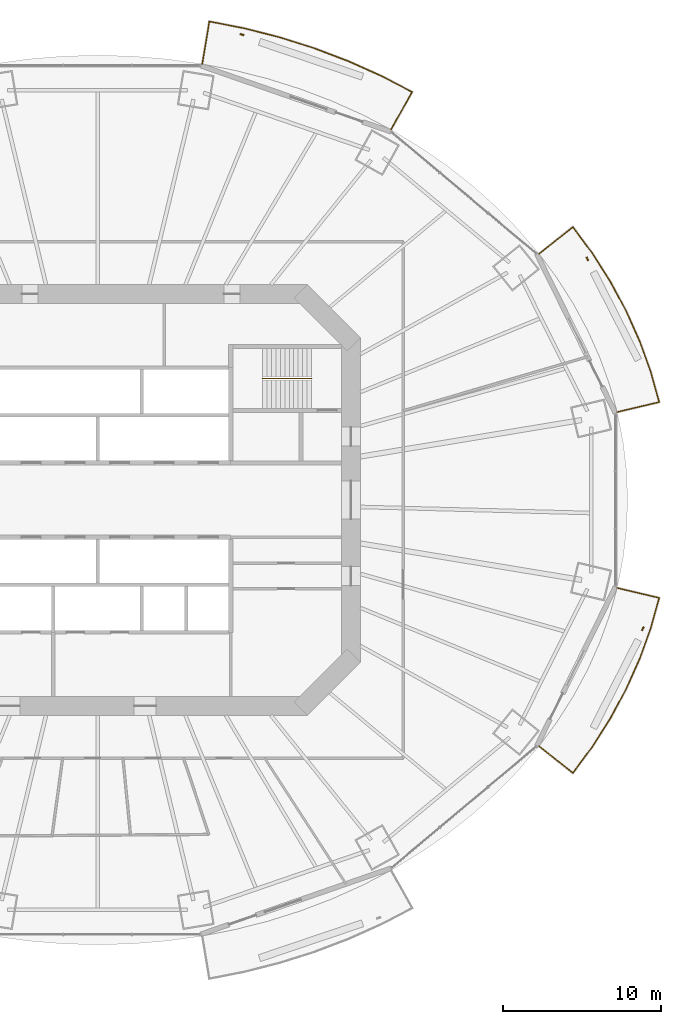
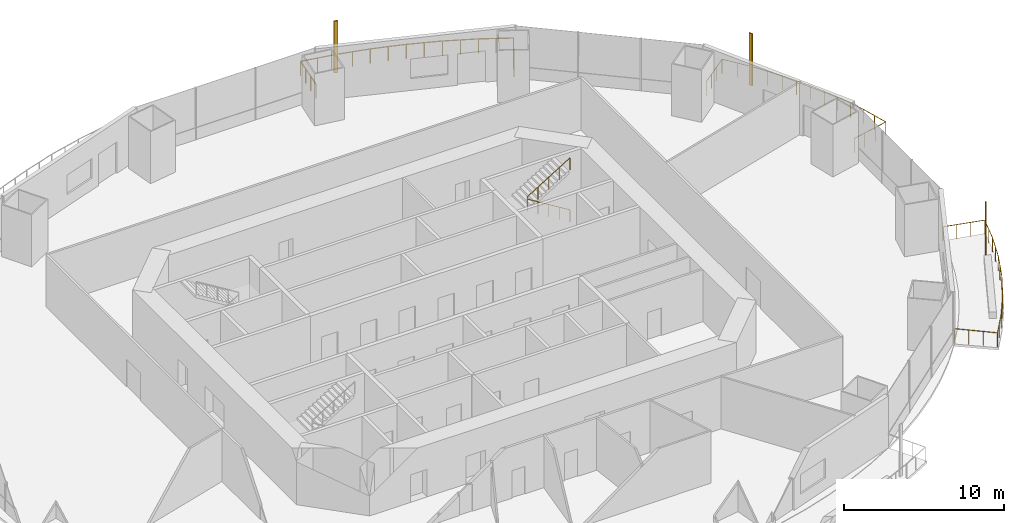
# One storey, part 19 of 20: 4 railings, 3 shading devices.
"""IFC4 building model written with IfcOpenShell, lengths in metres."""

import ifcopenshell
import ifcopenshell.guid

model = None  # the IFC model being written
_history = None  # IfcOwnerHistory: only IFC2X3 demands one
_inside = {}  # id of a spatial element -> (the spatial element, [elements in it])
_under = {}  # id of a project, library or spatial element -> (it, [spatial elements below it])
_declared = {}  # id of a project -> (the project, [libraries it declares])
_typed = {}  # id of a type object -> (the type object, [elements of that type])
_made_of = {}  # id of a material, layer set ... -> (it, [elements and type objects made of it])


def new_model(schema):
    """Start an empty IFC model of exactly this schema.

    Asked for "IFC4X3", IfcOpenShell would pick the latest addendum, in which some entities
    have other attributes; the version numbers below select the first issue.
    IFC2X3 requires an IfcOwnerHistory on every rooted entity: one is made here for all.
    """
    global model, _history
    if schema == "IFC4X3":
        model = ifcopenshell.file(schema_version=(4, 3, 0, 0))
    else:
        model = ifcopenshell.file(schema=schema)
    _inside.clear()
    _under.clear()
    _declared.clear()
    _typed.clear()
    _made_of.clear()
    _history = None
    if model.schema == "IFC2X3":
        org = make("IfcOrganization", Name="unknown")
        user = make(
            "IfcPersonAndOrganization",
            ThePerson=make("IfcPerson", FamilyName="unknown"),
            TheOrganization=org,
        )
        app = make(
            "IfcApplication",
            ApplicationDeveloper=org,
            Version="unknown",
            ApplicationFullName="unknown",
            ApplicationIdentifier="unknown",
        )
        _history = make(
            "IfcOwnerHistory",
            OwningUser=user,
            OwningApplication=app,
            ChangeAction="ADDED",
            CreationDate=0,
        )
    return model


def make(cls, **values):
    """One entity of the class cls with the attributes given. An attribute that is None is left unset."""
    return model.create_entity(
        cls, **{name: value for name, value in values.items() if value is not None}
    )


def rooted(cls, **values):
    """An entity with a GlobalId (a new one), such as an element, a storey or a relation."""
    return make(cls, GlobalId=ifcopenshell.guid.new(), OwnerHistory=_history, **values)


def si_unit(unit_type, name, prefix=None):
    """IfcSIUnit, for example si_unit("LENGTHUNIT", "METRE", prefix="MILLI")."""
    return make("IfcSIUnit", UnitType=unit_type, Prefix=prefix, Name=name)


def assignment(units):
    """IfcUnitAssignment: the units of a project."""
    return None if units is None else make("IfcUnitAssignment", Units=units)


def point(xyz):
    """IfcCartesianPoint."""
    return None if xyz is None else make("IfcCartesianPoint", Coordinates=xyz)


def direction(xyz):
    """IfcDirection."""
    return None if xyz is None else make("IfcDirection", DirectionRatios=xyz)


def frame(location, z_axis=None, x_axis=None):
    """IfcAxis2Placement3D, a coordinate frame: its origin and axes. An axis left out is left unset."""
    return make(
        "IfcAxis2Placement3D",
        Location=point(location),
        Axis=direction(z_axis),
        RefDirection=direction(x_axis),
    )


def frame_2d(location, x_axis=None):
    """IfcAxis2Placement2D, a coordinate frame in the plane: its origin and x axis."""
    return make(
        "IfcAxis2Placement2D", Location=point(location), RefDirection=direction(x_axis)
    )


def origin():
    """The frame at (0, 0, 0) with its axes left unset."""
    return frame((0.0, 0.0, 0.0))


def origin_2d():
    """The frame at (0, 0) in the plane with its x axis left unset."""
    return frame_2d((0.0, 0.0))


def place(relative_to, where):
    """IfcLocalPlacement: puts the frame where relative to a parent placement (None: the world)."""
    return make(
        "IfcLocalPlacement", PlacementRelTo=relative_to, RelativePlacement=where
    )


def context(
    kind, dimensions, precision=None, world=None, true_north=None, identifier=None
):
    """IfcGeometricRepresentationContext, for example the 3D "Model" context."""
    return make(
        "IfcGeometricRepresentationContext",
        ContextIdentifier=identifier,
        ContextType=kind,
        CoordinateSpaceDimension=dimensions,
        Precision=precision,
        WorldCoordinateSystem=world,
        TrueNorth=true_north,
    )


def subcontext(parent, identifier, kind, view, scale=None):
    """IfcGeometricRepresentationSubContext, for example "Body" below "Model"."""
    return make(
        "IfcGeometricRepresentationSubContext",
        ContextIdentifier=identifier,
        ContextType=kind,
        ParentContext=parent,
        TargetScale=scale,
        TargetView=view,
    )


def project(units=None, contexts=None):
    """IfcProject with its units and contexts."""
    return rooted(
        "IfcProject",
        Name="project",
        RepresentationContexts=contexts,
        UnitsInContext=assignment(units),
    )


def spatial(cls, under=None, at=None, **own):
    """A site, building, storey or space (cls), placed at a placement, below another one or the project."""
    s = rooted(cls, ObjectPlacement=at, **own)
    if under is not None:
        _under.setdefault(under.id(), (under, []))[1].append(s)
    return s


def profile(cls, at=None, kind="AREA", **sizes):
    """A parametric profile (cls). Its sizes go by their IFC names, for example OverallWidth=200.0."""
    return make(cls, ProfileType=kind, Position=at, **sizes)


def rectangle(**sizes):
    """IfcRectangleProfileDef."""
    return profile("IfcRectangleProfileDef", **sizes)


def circle(**sizes):
    """IfcCircleProfileDef."""
    return profile("IfcCircleProfileDef", **sizes)


def extrude(swept, where, along, depth):
    """IfcExtrudedAreaSolid: the profile swept, set in the frame where, extruded along a direction by depth."""
    return make(
        "IfcExtrudedAreaSolid",
        SweptArea=swept,
        Position=where,
        ExtrudedDirection=direction(along),
        Depth=depth,
    )


def shape(context_of_items, identifier, shape_type, items):
    """IfcShapeRepresentation: the items that make up one representation, for example the "Body"."""
    return make(
        "IfcShapeRepresentation",
        ContextOfItems=context_of_items,
        RepresentationIdentifier=identifier,
        RepresentationType=shape_type,
        Items=items,
    )


def material(Name=None, Category=None):
    """IfcMaterial."""
    return make("IfcMaterial", Name=Name, Category=Category)


def material_profile(
    of_material, cross_section, Name=None, Category=None, Priority=None
):
    """IfcMaterialProfile: a cross section and its material."""
    return make(
        "IfcMaterialProfile",
        Name=Name,
        Material=of_material,
        Profile=cross_section,
        Priority=Priority,
        Category=Category,
    )


def profile_set(profiles, Name=None, composite=None):
    """IfcMaterialProfileSet."""
    return make(
        "IfcMaterialProfileSet",
        Name=Name,
        MaterialProfiles=profiles,
        CompositeProfile=composite,
    )


def made_of(thing, what):
    """Note that an element or type object is made of a material, layer set ...; save() writes the relation."""
    if what is not None:
        _made_of.setdefault(what.id(), (what, []))[1].append(thing)
    return thing


def type_object(cls, material=None, **own):
    """A type object (cls), such as IfcWallType, which elements share."""
    return made_of(rooted(cls, **own), material)


def element(
    cls,
    number,
    at=None,
    inside=None,
    cuts=None,
    type_object=None,
    material=None,
    context=None,
    identifier="Body",
    shape_type=None,
    held_by="IfcProductDefinitionShape",
    body=None,
    shapes=None,
    **own,
):
    """One element of the class cls, such as IfcWall. Its Tag is "e" and its number.

    at: its placement. inside: the storey or other place that contains it. cuts: it is an
    opening in that element (IfcRelVoidsElement). A single representation is given by context,
    identifier, shape_type and body (its items); several are given by shapes. held_by: the class
    of the entity that holds the representations. save() writes the other relations.
    """
    e = rooted(cls, Tag="e%d" % number, ObjectPlacement=at, **own)
    if body is not None:
        shapes = [shape(context, identifier, shape_type, body)]
    if shapes is not None:
        e.Representation = make(held_by, Representations=shapes)
    if inside is not None:
        _inside.setdefault(inside.id(), (inside, []))[1].append(e)
    if cuts is not None:
        rooted(
            "IfcRelVoidsElement", RelatingBuildingElement=cuts, RelatedOpeningElement=e
        )
    if type_object is not None:
        _typed.setdefault(type_object.id(), (type_object, []))[1].append(e)
    return made_of(e, material)


def aggregate(whole, parts):
    """IfcRelAggregates: a whole, such as a stair, and the parts it consists of."""
    return rooted("IfcRelAggregates", RelatingObject=whole, RelatedObjects=parts)


def save(model, path):
    """Write the relations noted so far, then the file.

    IfcRelAggregates (storeys below a building ...), IfcRelContainedInSpatialStructure (elements
    in a storey), IfcRelDefinesByType, IfcRelAssociatesMaterial and IfcRelDeclares: one each for
    every whole, place, type object, material and project.
    """
    for whole, parts in _under.values():
        aggregate(whole, parts)
    for where, things in _inside.values():
        rooted(
            "IfcRelContainedInSpatialStructure",
            RelatedElements=things,
            RelatingStructure=where,
        )
    for kind, things in _typed.values():
        rooted("IfcRelDefinesByType", RelatedObjects=things, RelatingType=kind)
    for what, things in _made_of.values():
        rooted("IfcRelAssociatesMaterial", RelatedObjects=things, RelatingMaterial=what)
    for by, libraries in _declared.values():
        rooted("IfcRelDeclares", RelatingContext=by, RelatedDefinitions=libraries)
    model.write(path)


model = new_model("IFC4")

# Units and contexts
model_context = context("Model", 3, precision=1e-05, world=origin(), true_north=direction((0.0, 1.0)))
body_context = subcontext(model_context, "Body", "Model", "MODEL_VIEW")
ifc_project = project(units=[si_unit("LENGTHUNIT", "METRE"), si_unit("AREAUNIT", "SQUARE_METRE"), si_unit("VOLUMEUNIT", "CUBIC_METRE"), si_unit("PLANEANGLEUNIT", "RADIAN"), si_unit("MASSUNIT", "GRAM", prefix="KILO")], contexts=[model_context])

# Site, building, storey
site_placement = place(None, origin())
site = spatial("IfcSite", under=ifc_project, at=site_placement, CompositionType="ELEMENT")
building_placement = place(site_placement, origin())
building = spatial("IfcBuilding", under=site, at=building_placement, Name="Marenthal Gate Tower", CompositionType="ELEMENT")
storey_placement = place(building_placement, frame((0.0, 0.0, 136.75)))
storey = spatial("IfcBuildingStorey", under=building, at=storey_placement, Name="L29", CompositionType="ELEMENT", Elevation=136.75)

# Railings
ifc_material_1 = material(Name="Stainless steel", Category="steel")
railing_type_1 = type_object("IfcRailingType", Name="Balcony guard 1100", PredefinedType="GUARDRAIL", material=ifc_material_1)
railing_1_placement = place(storey_placement, frame((27.872314453125, 15.5361328125, 0.0)))
element("IfcRailing", 1, at=railing_1_placement, inside=storey, type_object=railing_type_1, Name="Balcony guard L29 bay 1", PredefinedType="GUARDRAIL", context=body_context, shape_type="SweptSolid", body=[
    extrude(circle(Radius=0.02392578125, at=origin_2d()), frame((0.0, 0.0, 1.076171875), z_axis=(0.782497400994, 0.622479868482, -0.014718382127), x_axis=(-0.622547303586, 0.782582171275, 0.0)), (0.0, 0.0, 1.0), 2.720458984375),
    extrude(circle(Radius=0.02392578125, at=origin_2d()), frame((2.128662109375, 1.693359375, 1.0361328125), z_axis=(0.594330839548, -0.80422064955, 0.0), x_axis=(0.80422064955, 0.594330839548, 0.0)), (0.0, 0.0, 1.0), 2.0517578125),
    extrude(circle(Radius=0.02392578125, at=origin_2d()), frame((3.34814453125, 0.043212890625, 1.0361328125), z_axis=(0.537211554798, -0.843447535649, 0.0), x_axis=(0.843447535649, 0.537211554798, 0.0)), (0.0, 0.0, 1.0), 2.114990234375),
    extrude(circle(Radius=0.02392578125, at=origin_2d()), frame((4.484375, -1.74072265625, 1.0361328125), z_axis=(0.475084098287, -0.879940395456, 0.0), x_axis=(0.879940395456, 0.475084098287, 0.0)), (0.0, 0.0, 1.0), 2.099853515625),
    extrude(circle(Radius=0.02392578125, at=origin_2d()), frame((5.48193359375, -3.58837890625, 1.0361328125), z_axis=(0.409274320643, -0.912411382252, 0.0), x_axis=(0.912411382252, 0.409274320643, 0.0)), (0.0, 0.0, 1.0), 2.0859375),
    extrude(circle(Radius=0.02392578125, at=origin_2d()), frame((6.335693359375, -5.49169921875, 1.0361328125), z_axis=(0.339927901039, -0.940451499066, 0.0), x_axis=(0.940451499066, 0.339927901039, 0.0)), (0.0, 0.0, 1.0), 2.07421875),
    extrude(circle(Radius=0.02392578125, at=origin_2d()), frame((7.040771484375, -7.4423828125, 1.0361328125), z_axis=(0.269159912303, -0.963095499735, 0.0), x_axis=(0.963095499735, 0.269159912303, 0.0)), (0.0, 0.0, 1.0), 1.984619140625),
    extrude(circle(Radius=0.02392578125, at=origin_2d()), frame((7.574951171875, -9.353759765625, 1.0361328125), z_axis=(-0.972966930586, -0.230474963356, 0.014718806071), x_axis=(0.230499932836, -0.973072341074, 0.0)), (0.0, 0.0, 1.0), 2.72021484375),
    extrude(circle(Radius=0.02099609375, at=origin_2d()), origin(), (0.0, 0.0, 1.0), 1.052001953125),
    extrude(circle(Radius=0.02099609375, at=origin_2d()), frame((0.70947265625, 0.564453125, -0.013427734375)), (0.0, 0.0, 1.0), 1.052001953125),
    extrude(circle(Radius=0.02099609375, at=origin_2d()), frame((1.419189453125, 1.12890625, -0.026611328125)), (0.0, 0.0, 1.0), 1.052001953125),
    extrude(circle(Radius=0.02099609375, at=origin_2d()), frame((2.128662109375, 1.693359375, -0.0400390625)), (0.0, 0.0, 1.0), 1.052001953125),
    extrude(circle(Radius=0.02099609375, at=origin_2d()), frame((2.73828125, 0.8681640625, -0.0400390625)), (0.0, 0.0, 1.0), 1.052001953125),
    extrude(circle(Radius=0.02099609375, at=origin_2d()), frame((3.34814453125, 0.043212890625, -0.0400390625)), (0.0, 0.0, 1.0), 1.052001953125),
    extrude(circle(Radius=0.02099609375, at=origin_2d()), frame((3.916259765625, -0.8486328125, -0.0400390625)), (0.0, 0.0, 1.0), 1.052001953125),
    extrude(circle(Radius=0.02099609375, at=origin_2d()), frame((4.484375, -1.74072265625, -0.0400390625)), (0.0, 0.0, 1.0), 1.052001953125),
    extrude(circle(Radius=0.02099609375, at=origin_2d()), frame((4.983154296875, -2.66455078125, -0.0400390625)), (0.0, 0.0, 1.0), 1.052001953125),
    extrude(circle(Radius=0.02099609375, at=origin_2d()), frame((5.48193359375, -3.58837890625, -0.0400390625)), (0.0, 0.0, 1.0), 1.052001953125),
    extrude(circle(Radius=0.02099609375, at=origin_2d()), frame((5.90869140625, -4.5400390625, -0.0400390625)), (0.0, 0.0, 1.0), 1.052001953125),
    extrude(circle(Radius=0.02099609375, at=origin_2d()), frame((6.335693359375, -5.49169921875, -0.0400390625)), (0.0, 0.0, 1.0), 1.052001953125),
    extrude(circle(Radius=0.02099609375, at=origin_2d()), frame((6.688232421875, -6.467041015625, -0.0400390625)), (0.0, 0.0, 1.0), 1.052001953125),
    extrude(circle(Radius=0.02099609375, at=origin_2d()), frame((7.040771484375, -7.4423828125, -0.0400390625)), (0.0, 0.0, 1.0), 1.052001953125),
    extrude(circle(Radius=0.02099609375, at=origin_2d()), frame((7.307861328125, -8.39794921875, -0.0400390625)), (0.0, 0.0, 1.0), 1.052001953125),
    extrude(circle(Radius=0.02099609375, at=origin_2d()), frame((7.574951171875, -9.353759765625, -0.0400390625)), (0.0, 0.0, 1.0), 1.052001953125),
    extrude(circle(Radius=0.02099609375, at=origin_2d()), frame((6.692626953125, -9.562744140625, -0.026611328125)), (0.0, 0.0, 1.0), 1.052001953125),
    extrude(circle(Radius=0.02099609375, at=origin_2d()), frame((5.810546875, -9.771728515625, -0.013427734375)), (0.0, 0.0, 1.0), 1.052001953125),
    extrude(circle(Radius=0.02099609375, at=origin_2d()), frame((4.92822265625, -9.980712890625, 0.0)), (0.0, 0.0, 1.0), 1.052001953125),
])
railing_2_placement = place(storey_placement, frame((6.60693359375, 27.5244140625, 0.0)))
element("IfcRailing", 2, at=railing_2_placement, inside=storey, type_object=railing_type_1, Name="Balcony guard L29 bay 3", PredefinedType="GUARDRAIL", context=body_context, shape_type="SweptSolid", body=[
    extrude(circle(Radius=0.02392578125, at=origin_2d()), frame((0.0, 0.0, 1.076171875), z_axis=(0.164774109377, 0.986221507592, -0.014718384498), x_axis=(-0.986328347949, 0.164791959854, 0.0)), (0.0, 0.0, 1.0), 2.720458984375),
    extrude(circle(Radius=0.02392578125, at=origin_2d()), frame((0.4482421875, 2.682861328125, 1.0361328125), z_axis=(0.981190742026, -0.193040741199, 0.0), x_axis=(0.193040741199, 0.981190742026, 0.0)), (0.0, 0.0, 1.0), 2.244873046875),
    extrude(circle(Radius=0.02392578125, at=origin_2d()), frame((2.65087890625, 2.24951171875, 1.0361328125), z_axis=(0.969110463154, -0.246627067057, 0.0), x_axis=(0.246627067057, 0.969110463154, 0.0)), (0.0, 0.0, 1.0), 2.3154296875),
    extrude(circle(Radius=0.02392578125, at=origin_2d()), frame((4.894775390625, 1.678466796875, 1.0361328125), z_axis=(0.953555439672, -0.301217568332, 0.0), x_axis=(0.301217568332, 0.953555439672, 0.0)), (0.0, 0.0, 1.0), 2.30419921875),
    extrude(circle(Radius=0.02392578125, at=origin_2d()), frame((7.092041015625, 0.984375, 1.0361328125), z_axis=(0.934725540452, -0.355370460261, 0.0), x_axis=(0.355370460261, 0.934725540452, 0.0)), (0.0, 0.0, 1.0), 2.291259765625),
    extrude(circle(Radius=0.02392578125, at=origin_2d()), frame((9.233642578125, 0.170166015625, 1.0361328125), z_axis=(0.912426484208, -0.409240651591, 0.0), x_axis=(0.409240651591, 0.912426484208, 0.0)), (0.0, 0.0, 1.0), 2.276611328125),
    extrude(circle(Radius=0.02392578125, at=origin_2d()), frame((11.310791015625, -0.761474609375, 1.0361328125), z_axis=(0.887053580422, -0.461666487261, 0.0), x_axis=(0.461666487261, 0.887053580422, 0.0)), (0.0, 0.0, 1.0), 2.180419921875),
    extrude(circle(Radius=0.02392578125, at=origin_2d()), frame((13.244873046875, -1.76806640625, 1.0361328125), z_axis=(-0.489304532784, -0.871988782196, 0.014718624977), x_axis=(0.872083250464, -0.489357542356, 0.0)), (0.0, 0.0, 1.0), 2.72021484375),
    extrude(circle(Radius=0.02099609375, at=origin_2d()), origin(), (0.0, 0.0, 1.0), 1.052001953125),
    extrude(circle(Radius=0.02099609375, at=origin_2d()), frame((0.1494140625, 0.894287109375, -0.013427734375)), (0.0, 0.0, 1.0), 1.052001953125),
    extrude(circle(Radius=0.02099609375, at=origin_2d()), frame((0.298828125, 1.78857421875, -0.026611328125)), (0.0, 0.0, 1.0), 1.052001953125),
    extrude(circle(Radius=0.02099609375, at=origin_2d()), frame((0.4482421875, 2.682861328125, -0.0400390625)), (0.0, 0.0, 1.0), 1.052001953125),
    extrude(circle(Radius=0.02099609375, at=origin_2d()), frame((1.549560546875, 2.46630859375, -0.0400390625)), (0.0, 0.0, 1.0), 1.052001953125),
    extrude(circle(Radius=0.02099609375, at=origin_2d()), frame((2.65087890625, 2.24951171875, -0.0400390625)), (0.0, 0.0, 1.0), 1.052001953125),
    extrude(circle(Radius=0.02099609375, at=origin_2d()), frame((3.77294921875, 1.9638671875, -0.0400390625)), (0.0, 0.0, 1.0), 1.052001953125),
    extrude(circle(Radius=0.02099609375, at=origin_2d()), frame((4.894775390625, 1.678466796875, -0.0400390625)), (0.0, 0.0, 1.0), 1.052001953125),
    extrude(circle(Radius=0.02099609375, at=origin_2d()), frame((5.993408203125, 1.33154296875, -0.0400390625)), (0.0, 0.0, 1.0), 1.052001953125),
    extrude(circle(Radius=0.02099609375, at=origin_2d()), frame((7.092041015625, 0.984375, -0.0400390625)), (0.0, 0.0, 1.0), 1.052001953125),
    extrude(circle(Radius=0.02099609375, at=origin_2d()), frame((8.162841796875, 0.5771484375, -0.0400390625)), (0.0, 0.0, 1.0), 1.052001953125),
    extrude(circle(Radius=0.02099609375, at=origin_2d()), frame((9.233642578125, 0.170166015625, -0.0400390625)), (0.0, 0.0, 1.0), 1.052001953125),
    extrude(circle(Radius=0.02099609375, at=origin_2d()), frame((10.272216796875, -0.295654296875, -0.0400390625)), (0.0, 0.0, 1.0), 1.052001953125),
    extrude(circle(Radius=0.02099609375, at=origin_2d()), frame((11.310791015625, -0.761474609375, -0.0400390625)), (0.0, 0.0, 1.0), 1.052001953125),
    extrude(circle(Radius=0.02099609375, at=origin_2d()), frame((12.27783203125, -1.2646484375, -0.0400390625)), (0.0, 0.0, 1.0), 1.052001953125),
    extrude(circle(Radius=0.02099609375, at=origin_2d()), frame((13.244873046875, -1.76806640625, -0.0400390625)), (0.0, 0.0, 1.0), 1.052001953125),
    extrude(circle(Radius=0.02099609375, at=origin_2d()), frame((12.80126953125, -2.558837890625, -0.026611328125)), (0.0, 0.0, 1.0), 1.052001953125),
    extrude(circle(Radius=0.02099609375, at=origin_2d()), frame((12.357421875, -3.349365234375, -0.013427734375)), (0.0, 0.0, 1.0), 1.052001953125),
    extrude(circle(Radius=0.02099609375, at=origin_2d()), frame((11.913818359375, -4.14013671875, 0.0)), (0.0, 0.0, 1.0), 1.052001953125),
])
railing_3_placement = place(storey_placement, frame((32.800537109375, -5.555419921875, 0.0)))
element("IfcRailing", 3, at=railing_3_placement, inside=storey, type_object=railing_type_1, Name="Balcony guard L29 bay 15", PredefinedType="GUARDRAIL", context=body_context, shape_type="SweptSolid", body=[
    extrude(circle(Radius=0.02392578125, at=origin_2d()), frame((0.0, 0.0, 1.076171875), z_axis=(0.972966930586, -0.230474963356, -0.014718806071), x_axis=(0.230499932836, 0.973072341074, 0.0)), (0.0, 0.0, 1.0), 2.72021484375),
    extrude(circle(Radius=0.02392578125, at=origin_2d()), frame((2.646728515625, -0.626953125, 1.0361328125), z_axis=(-0.269159912303, -0.963095499735, 0.0), x_axis=(0.963095499735, -0.269159912303, 0.0)), (0.0, 0.0, 1.0), 1.984619140625),
    extrude(circle(Radius=0.02392578125, at=origin_2d()), frame((2.112548828125, -2.538330078125, 1.0361328125), z_axis=(-0.339927901039, -0.940451499066, 0.0), x_axis=(0.940451499066, -0.339927901039, 0.0)), (0.0, 0.0, 1.0), 2.07421875),
    extrude(circle(Radius=0.02392578125, at=origin_2d()), frame((1.407470703125, -4.489013671875, 1.0361328125), z_axis=(-0.409274320643, -0.912411382252, 0.0), x_axis=(0.912411382252, -0.409274320643, 0.0)), (0.0, 0.0, 1.0), 2.0859375),
    extrude(circle(Radius=0.02392578125, at=origin_2d()), frame((0.5537109375, -6.392333984375, 1.0361328125), z_axis=(-0.475084098287, -0.879940395456, 0.0), x_axis=(0.879940395456, -0.475084098287, 0.0)), (0.0, 0.0, 1.0), 2.099853515625),
    extrude(circle(Radius=0.02392578125, at=origin_2d()), frame((-0.44384765625, -8.239990234375, 1.0361328125), z_axis=(-0.537211554798, -0.843447535649, 0.0), x_axis=(0.843447535649, -0.537211554798, 0.0)), (0.0, 0.0, 1.0), 2.114990234375),
    extrude(circle(Radius=0.02392578125, at=origin_2d()), frame((-1.580078125, -10.02392578125, 1.0361328125), z_axis=(-0.594330839548, -0.80422064955, 0.0), x_axis=(0.80422064955, -0.594330839548, 0.0)), (0.0, 0.0, 1.0), 2.0517578125),
    extrude(circle(Radius=0.02392578125, at=origin_2d()), frame((-2.799560546875, -11.674072265625, 1.0361328125), z_axis=(-0.782497400994, 0.622479868482, 0.014718382127), x_axis=(-0.622547303586, -0.782582171275, 0.0)), (0.0, 0.0, 1.0), 2.720458984375),
    extrude(circle(Radius=0.02099609375, at=origin_2d()), origin(), (0.0, 0.0, 1.0), 1.052001953125),
    extrude(circle(Radius=0.02099609375, at=origin_2d()), frame((0.88232421875, -0.208984375, -0.013427734375)), (0.0, 0.0, 1.0), 1.052001953125),
    extrude(circle(Radius=0.02099609375, at=origin_2d()), frame((1.764404296875, -0.41796875, -0.026611328125)), (0.0, 0.0, 1.0), 1.052001953125),
    extrude(circle(Radius=0.02099609375, at=origin_2d()), frame((2.646728515625, -0.626953125, -0.0400390625)), (0.0, 0.0, 1.0), 1.052001953125),
    extrude(circle(Radius=0.02099609375, at=origin_2d()), frame((2.379638671875, -1.58251953125, -0.0400390625)), (0.0, 0.0, 1.0), 1.052001953125),
    extrude(circle(Radius=0.02099609375, at=origin_2d()), frame((2.112548828125, -2.538330078125, -0.0400390625)), (0.0, 0.0, 1.0), 1.052001953125),
    extrude(circle(Radius=0.02099609375, at=origin_2d()), frame((1.760009765625, -3.513671875, -0.0400390625)), (0.0, 0.0, 1.0), 1.052001953125),
    extrude(circle(Radius=0.02099609375, at=origin_2d()), frame((1.407470703125, -4.489013671875, -0.0400390625)), (0.0, 0.0, 1.0), 1.052001953125),
    extrude(circle(Radius=0.02099609375, at=origin_2d()), frame((0.98046875, -5.440673828125, -0.0400390625)), (0.0, 0.0, 1.0), 1.052001953125),
    extrude(circle(Radius=0.02099609375, at=origin_2d()), frame((0.5537109375, -6.392333984375, -0.0400390625)), (0.0, 0.0, 1.0), 1.052001953125),
    extrude(circle(Radius=0.02099609375, at=origin_2d()), frame((0.054931640625, -7.316162109375, -0.0400390625)), (0.0, 0.0, 1.0), 1.052001953125),
    extrude(circle(Radius=0.02099609375, at=origin_2d()), frame((-0.44384765625, -8.239990234375, -0.0400390625)), (0.0, 0.0, 1.0), 1.052001953125),
    extrude(circle(Radius=0.02099609375, at=origin_2d()), frame((-1.011962890625, -9.1318359375, -0.0400390625)), (0.0, 0.0, 1.0), 1.052001953125),
    extrude(circle(Radius=0.02099609375, at=origin_2d()), frame((-1.580078125, -10.02392578125, -0.0400390625)), (0.0, 0.0, 1.0), 1.052001953125),
    extrude(circle(Radius=0.02099609375, at=origin_2d()), frame((-2.18994140625, -10.84912109375, -0.0400390625)), (0.0, 0.0, 1.0), 1.052001953125),
    extrude(circle(Radius=0.02099609375, at=origin_2d()), frame((-2.799560546875, -11.674072265625, -0.0400390625)), (0.0, 0.0, 1.0), 1.052001953125),
    extrude(circle(Radius=0.02099609375, at=origin_2d()), frame((-3.509033203125, -11.109619140625, -0.026611328125)), (0.0, 0.0, 1.0), 1.052001953125),
    extrude(circle(Radius=0.02099609375, at=origin_2d()), frame((-4.21875, -10.545166015625, -0.013427734375)), (0.0, 0.0, 1.0), 1.052001953125),
    extrude(circle(Radius=0.02099609375, at=origin_2d()), frame((-4.92822265625, -9.980712890625, 0.0)), (0.0, 0.0, 1.0), 1.052001953125),
])
ifc_material_2 = material(Name="Stainless steel", Category="steel")
railing_type_2 = type_object("IfcRailingType", Name="Stair handrail", PredefinedType="HANDRAIL", material=ifc_material_2)
railing_4_placement = place(storey_placement, frame((13.5, 7.675048828125, 0.1728515625)))
element("IfcRailing", 4, at=railing_4_placement, inside=storey, type_object=railing_type_2, Name="Handrail ST3", PredefinedType="HANDRAIL", context=body_context, shape_type="SweptSolid", body=[
    extrude(circle(Radius=0.0224609375, at=origin_2d()), frame((0.0, 0.0, 0.927490234375), z_axis=(-0.850835241893, 0.0, 0.525432575268), x_axis=(0.0, -1.0, 0.0)), (0.0, 0.0, 1.0), 3.6201171875),
    extrude(circle(Radius=0.0224609375, at=origin_2d()), frame((-3.080078125, 0.0, 2.82958984375), z_axis=(0.0, 0.0, 1.0), x_axis=(1.0, 0.0, 0.0)), (0.0, 0.0, 1.0), 0.1728515625),
    extrude(circle(Radius=0.0224609375, at=origin_2d()), frame((-3.080078125, 0.0, 3.00244140625), z_axis=(0.850835241893, 0.0, 0.525432575268), x_axis=(0.0, 1.0, 0.0)), (0.0, 0.0, 1.0), 3.6201171875),
    extrude(circle(Radius=0.02001953125, at=origin_2d()), origin(), (0.0, 0.0, 1.0), 0.905029296875),
    extrude(circle(Radius=0.02001953125, at=origin_2d()), frame((-0.77001953125, 0.0, 0.4755859375)), (0.0, 0.0, 1.0), 0.905029296875),
    extrude(circle(Radius=0.02001953125, at=origin_2d()), frame((-1.5400390625, 0.0, 0.951171875)), (0.0, 0.0, 1.0), 0.905029296875),
    extrude(circle(Radius=0.02001953125, at=origin_2d()), frame((-2.31005859375, 0.0, 1.426513671875)), (0.0, 0.0, 1.0), 0.905029296875),
    extrude(circle(Radius=0.02001953125, at=origin_2d()), frame((-3.080078125, 0.0, 1.902099609375)), (0.0, 0.0, 1.0), 0.905029296875),
    extrude(circle(Radius=0.02001953125, at=origin_2d()), frame((-3.080078125, 0.0, 2.074951171875)), (0.0, 0.0, 1.0), 0.905029296875),
    extrude(circle(Radius=0.02001953125, at=origin_2d()), frame((-2.31005859375, 0.0, 2.550537109375)), (0.0, 0.0, 1.0), 0.905029296875),
    extrude(circle(Radius=0.02001953125, at=origin_2d()), frame((-1.5400390625, 0.0, 3.02587890625)), (0.0, 0.0, 1.0), 0.905029296875),
    extrude(circle(Radius=0.02001953125, at=origin_2d()), frame((-0.77001953125, 0.0, 3.50146484375)), (0.0, 0.0, 1.0), 0.905029296875),
    extrude(circle(Radius=0.02001953125, at=origin_2d()), frame((0.0, 0.0, 3.97705078125)), (0.0, 0.0, 1.0), 0.905029296875),
])

# Shading devices
ifc_material_3 = material(Name="Terracotta", Category="masonry")
ifc_material_profile = material_profile(ifc_material_3, rectangle(XDim=0.25, YDim=0.080078125, at=origin_2d()), Name="Terracotta baguette 250x80")
ifc_profile_set = profile_set([ifc_material_profile], Name="Terracotta")
shading_device_type = type_object("IfcShadingDeviceType", Name="Terracotta BAGUETTE SCREEN 250x80", PredefinedType="USERDEFINED", material=ifc_profile_set)
for number, where, z_axis, x_axis, name in (
    (5, (30.916748046875, 15.217529296875, -0.0400390625), (0.0, 0.0, 1.0), (-0.442571643987, 0.896733148678, 0.0), "Terracotta BAGUETTE L29 bay 1R"),
    (6, (9.11376953125, 29.37841796875, -0.0400390625), (0.0, 0.0, 1.0), (-0.944551667682, 0.328362828405, 0.0), "Terracotta BAGUETTE L29 bay 3R"),
    (7, (34.416748046875, -8.12548828125, -0.0400390625), (0.0, 0.0, 1.0), (0.442571643987, 0.896733148678, 0.0), "Terracotta BAGUETTE L29 bay 15R"),
):
    element("IfcShadingDevice", number, at=place(storey_placement, frame(where, z_axis=z_axis, x_axis=x_axis)), inside=storey, type_object=shading_device_type, Name=name, ObjectType="BAGUETTE SCREEN", PredefinedType="USERDEFINED", context=body_context, shape_type="SweptSolid", body=[
        extrude(rectangle(XDim=0.25, YDim=0.080078125, at=origin_2d()), origin(), (0.0, 0.0, 1.0), 3.969970703125),
    ])

save(model, "model.ifc")
